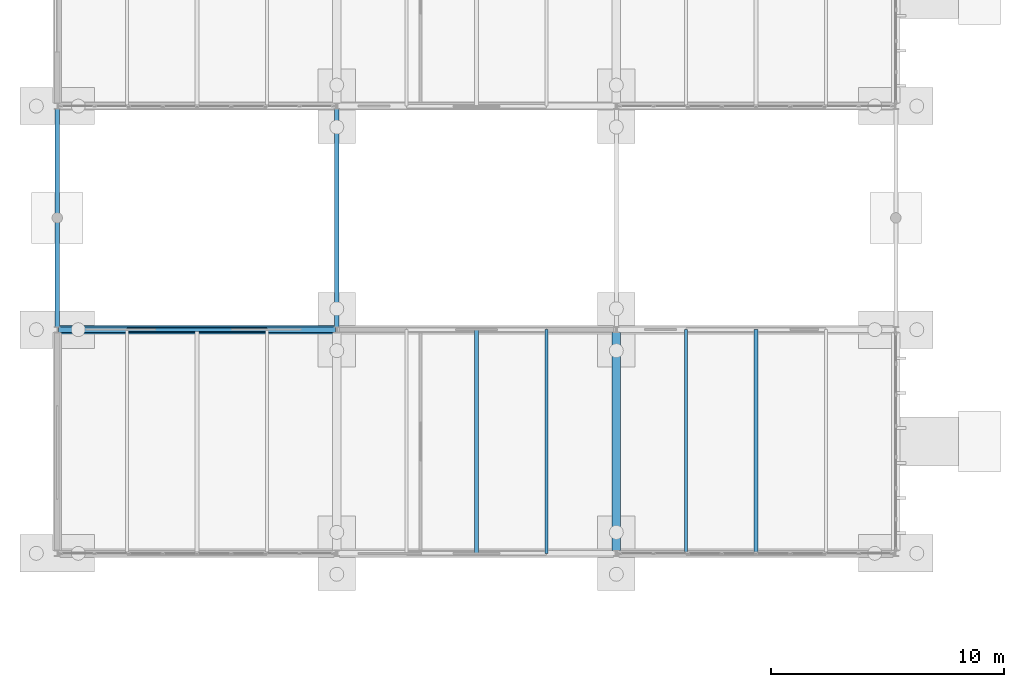
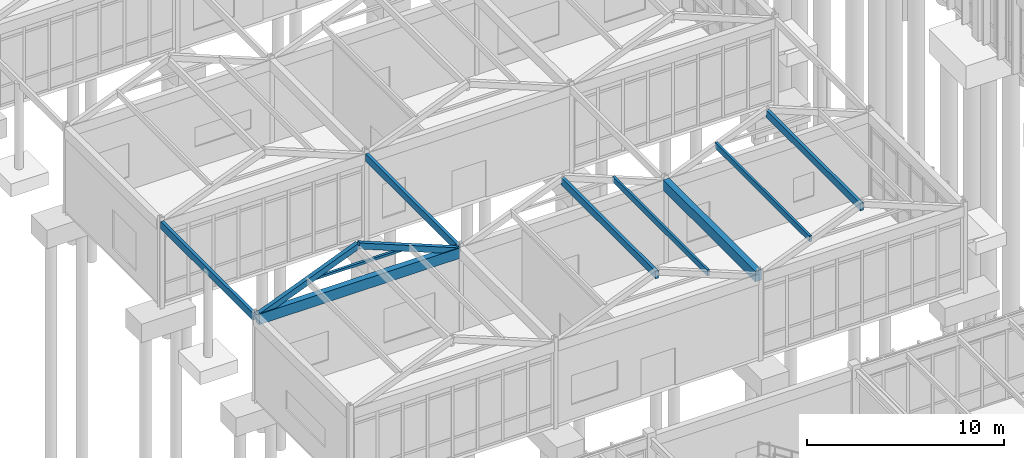
# One storey, part 40 of 188: 9 members, 2 beams.
"""IFC4 building model written with IfcOpenShell, lengths in metres."""

import ifcopenshell
import ifcopenshell.guid

model = None  # the IFC model being written
_history = None  # IfcOwnerHistory: only IFC2X3 demands one
_inside = {}  # id of a spatial element -> (the spatial element, [elements in it])
_under = {}  # id of a project, library or spatial element -> (it, [spatial elements below it])
_declared = {}  # id of a project -> (the project, [libraries it declares])
_typed = {}  # id of a type object -> (the type object, [elements of that type])
_made_of = {}  # id of a material, layer set ... -> (it, [elements and type objects made of it])


def new_model(schema):
    """Start an empty IFC model of exactly this schema.

    Asked for "IFC4X3", IfcOpenShell would pick the latest addendum, in which some entities
    have other attributes; the version numbers below select the first issue.
    IFC2X3 requires an IfcOwnerHistory on every rooted entity: one is made here for all.
    """
    global model, _history
    if schema == "IFC4X3":
        model = ifcopenshell.file(schema_version=(4, 3, 0, 0))
    else:
        model = ifcopenshell.file(schema=schema)
    _inside.clear()
    _under.clear()
    _declared.clear()
    _typed.clear()
    _made_of.clear()
    _history = None
    if model.schema == "IFC2X3":
        org = make("IfcOrganization", Name="unknown")
        user = make(
            "IfcPersonAndOrganization",
            ThePerson=make("IfcPerson", FamilyName="unknown"),
            TheOrganization=org,
        )
        app = make(
            "IfcApplication",
            ApplicationDeveloper=org,
            Version="unknown",
            ApplicationFullName="unknown",
            ApplicationIdentifier="unknown",
        )
        _history = make(
            "IfcOwnerHistory",
            OwningUser=user,
            OwningApplication=app,
            ChangeAction="ADDED",
            CreationDate=0,
        )
    return model


def make(cls, **values):
    """One entity of the class cls with the attributes given. An attribute that is None is left unset."""
    return model.create_entity(
        cls, **{name: value for name, value in values.items() if value is not None}
    )


def rooted(cls, **values):
    """An entity with a GlobalId (a new one), such as an element, a storey or a relation."""
    return make(cls, GlobalId=ifcopenshell.guid.new(), OwnerHistory=_history, **values)


def si_unit(unit_type, name, prefix=None):
    """IfcSIUnit, for example si_unit("LENGTHUNIT", "METRE", prefix="MILLI")."""
    return make("IfcSIUnit", UnitType=unit_type, Prefix=prefix, Name=name)


def assignment(units):
    """IfcUnitAssignment: the units of a project."""
    return None if units is None else make("IfcUnitAssignment", Units=units)


def point(xyz):
    """IfcCartesianPoint."""
    return None if xyz is None else make("IfcCartesianPoint", Coordinates=xyz)


def direction(xyz):
    """IfcDirection."""
    return None if xyz is None else make("IfcDirection", DirectionRatios=xyz)


def frame(location, z_axis=None, x_axis=None):
    """IfcAxis2Placement3D, a coordinate frame: its origin and axes. An axis left out is left unset."""
    return make(
        "IfcAxis2Placement3D",
        Location=point(location),
        Axis=direction(z_axis),
        RefDirection=direction(x_axis),
    )


def frame_2d(location, x_axis=None):
    """IfcAxis2Placement2D, a coordinate frame in the plane: its origin and x axis."""
    return make(
        "IfcAxis2Placement2D", Location=point(location), RefDirection=direction(x_axis)
    )


def origin():
    """The frame at (0, 0, 0) with its axes left unset."""
    return frame((0.0, 0.0, 0.0))


def origin_2d():
    """The frame at (0, 0) in the plane with its x axis left unset."""
    return frame_2d((0.0, 0.0))


def place(relative_to, where):
    """IfcLocalPlacement: puts the frame where relative to a parent placement (None: the world)."""
    return make(
        "IfcLocalPlacement", PlacementRelTo=relative_to, RelativePlacement=where
    )


def context(
    kind, dimensions, precision=None, world=None, true_north=None, identifier=None
):
    """IfcGeometricRepresentationContext, for example the 3D "Model" context."""
    return make(
        "IfcGeometricRepresentationContext",
        ContextIdentifier=identifier,
        ContextType=kind,
        CoordinateSpaceDimension=dimensions,
        Precision=precision,
        WorldCoordinateSystem=world,
        TrueNorth=true_north,
    )


def subcontext(parent, identifier, kind, view, scale=None):
    """IfcGeometricRepresentationSubContext, for example "Body" below "Model"."""
    return make(
        "IfcGeometricRepresentationSubContext",
        ContextIdentifier=identifier,
        ContextType=kind,
        ParentContext=parent,
        TargetScale=scale,
        TargetView=view,
    )


def project(units=None, contexts=None):
    """IfcProject with its units and contexts."""
    return rooted(
        "IfcProject",
        Name="project",
        RepresentationContexts=contexts,
        UnitsInContext=assignment(units),
    )


def spatial(cls, under=None, at=None, **own):
    """A site, building, storey or space (cls), placed at a placement, below another one or the project."""
    s = rooted(cls, ObjectPlacement=at, **own)
    if under is not None:
        _under.setdefault(under.id(), (under, []))[1].append(s)
    return s


def profile(cls, at=None, kind="AREA", **sizes):
    """A parametric profile (cls). Its sizes go by their IFC names, for example OverallWidth=200.0."""
    return make(cls, ProfileType=kind, Position=at, **sizes)


def rectangle(**sizes):
    """IfcRectangleProfileDef."""
    return profile("IfcRectangleProfileDef", **sizes)


def hollow_rectangle(**sizes):
    """IfcRectangleHollowProfileDef."""
    return profile("IfcRectangleHollowProfileDef", **sizes)


def extrude(swept, where, along, depth):
    """IfcExtrudedAreaSolid: the profile swept, set in the frame where, extruded along a direction by depth."""
    return make(
        "IfcExtrudedAreaSolid",
        SweptArea=swept,
        Position=where,
        ExtrudedDirection=direction(along),
        Depth=depth,
    )


def shape(context_of_items, identifier, shape_type, items):
    """IfcShapeRepresentation: the items that make up one representation, for example the "Body"."""
    return make(
        "IfcShapeRepresentation",
        ContextOfItems=context_of_items,
        RepresentationIdentifier=identifier,
        RepresentationType=shape_type,
        Items=items,
    )


def material(Name=None, Category=None):
    """IfcMaterial."""
    return make("IfcMaterial", Name=Name, Category=Category)


def material_profile(
    of_material, cross_section, Name=None, Category=None, Priority=None
):
    """IfcMaterialProfile: a cross section and its material."""
    return make(
        "IfcMaterialProfile",
        Name=Name,
        Material=of_material,
        Profile=cross_section,
        Priority=Priority,
        Category=Category,
    )


def profile_set(profiles, Name=None, composite=None):
    """IfcMaterialProfileSet."""
    return make(
        "IfcMaterialProfileSet",
        Name=Name,
        MaterialProfiles=profiles,
        CompositeProfile=composite,
    )


def made_of(thing, what):
    """Note that an element or type object is made of a material, layer set ...; save() writes the relation."""
    if what is not None:
        _made_of.setdefault(what.id(), (what, []))[1].append(thing)
    return thing


def type_object(cls, material=None, **own):
    """A type object (cls), such as IfcWallType, which elements share."""
    return made_of(rooted(cls, **own), material)


def element(
    cls,
    number,
    at=None,
    inside=None,
    cuts=None,
    type_object=None,
    material=None,
    context=None,
    identifier="Body",
    shape_type=None,
    held_by="IfcProductDefinitionShape",
    body=None,
    shapes=None,
    **own,
):
    """One element of the class cls, such as IfcWall. Its Tag is "e" and its number.

    at: its placement. inside: the storey or other place that contains it. cuts: it is an
    opening in that element (IfcRelVoidsElement). A single representation is given by context,
    identifier, shape_type and body (its items); several are given by shapes. held_by: the class
    of the entity that holds the representations. save() writes the other relations.
    """
    e = rooted(cls, Tag="e%d" % number, ObjectPlacement=at, **own)
    if body is not None:
        shapes = [shape(context, identifier, shape_type, body)]
    if shapes is not None:
        e.Representation = make(held_by, Representations=shapes)
    if inside is not None:
        _inside.setdefault(inside.id(), (inside, []))[1].append(e)
    if cuts is not None:
        rooted(
            "IfcRelVoidsElement", RelatingBuildingElement=cuts, RelatedOpeningElement=e
        )
    if type_object is not None:
        _typed.setdefault(type_object.id(), (type_object, []))[1].append(e)
    return made_of(e, material)


def aggregate(whole, parts):
    """IfcRelAggregates: a whole, such as a stair, and the parts it consists of."""
    return rooted("IfcRelAggregates", RelatingObject=whole, RelatedObjects=parts)


def save(model, path):
    """Write the relations noted so far, then the file.

    IfcRelAggregates (storeys below a building ...), IfcRelContainedInSpatialStructure (elements
    in a storey), IfcRelDefinesByType, IfcRelAssociatesMaterial and IfcRelDeclares: one each for
    every whole, place, type object, material and project.
    """
    for whole, parts in _under.values():
        aggregate(whole, parts)
    for where, things in _inside.values():
        rooted(
            "IfcRelContainedInSpatialStructure",
            RelatedElements=things,
            RelatingStructure=where,
        )
    for kind, things in _typed.values():
        rooted("IfcRelDefinesByType", RelatedObjects=things, RelatingType=kind)
    for what, things in _made_of.values():
        rooted("IfcRelAssociatesMaterial", RelatedObjects=things, RelatingMaterial=what)
    for by, libraries in _declared.values():
        rooted("IfcRelDeclares", RelatingContext=by, RelatedDefinitions=libraries)
    model.write(path)


model = new_model("IFC4")

# Units and contexts
model_context = context("Model", 3, precision=1e-05, world=origin(), true_north=direction((0.0, 1.0)))
body_context = subcontext(model_context, "Body", "Model", "MODEL_VIEW")
ifc_project = project(units=[si_unit("LENGTHUNIT", "METRE"), si_unit("AREAUNIT", "SQUARE_METRE"), si_unit("VOLUMEUNIT", "CUBIC_METRE"), si_unit("PLANEANGLEUNIT", "RADIAN"), si_unit("MASSUNIT", "GRAM", prefix="KILO")], contexts=[model_context])

# Site, building, storey
site_placement = place(None, origin())
site = spatial("IfcSite", under=ifc_project, at=site_placement, CompositionType="ELEMENT")
building_placement = place(site_placement, origin())
building = spatial("IfcBuilding", under=site, at=building_placement, Name="Pandanus Reach Market Hall", CompositionType="ELEMENT")
storey_placement = place(building_placement, origin())
storey = spatial("IfcBuildingStorey", under=building, at=storey_placement, Name="L00", CompositionType="ELEMENT", Elevation=0.0)

# Beams
ifc_material_1 = material(Name="Concrete N40 (40 MPa)", Category="concrete")
ifc_material_profile_1 = material_profile(ifc_material_1, rectangle(XDim=0.35009765625, YDim=0.64990234375, at=origin_2d()), Name="RC350x650", Category="LoadBearing")
ifc_profile_set_1 = profile_set([ifc_material_profile_1], Name="Concrete N40 (40 MPa)")
beam_type = type_object("IfcBeamType", Name="BM-RC350-E", PredefinedType="SPANDREL", material=ifc_profile_set_1)
beam_1_placement = place(storey_placement, frame((0.125, 48.0, 4.8798828125), z_axis=(1.0, 0.0, 0.0), x_axis=(0.0, 1.0, 0.0)))
element("IfcBeam", 1, at=beam_1_placement, inside=storey, type_object=beam_type, Name="Framing beam BM-RC350-E L00.1155", PredefinedType="SPANDREL", context=body_context, shape_type="SweptSolid", body=[
    extrude(rectangle(XDim=0.35009765625, YDim=0.64990234375, at=origin_2d()), origin(), (0.0, 0.0, 1.0), 11.75),
])
beam_2_placement = place(storey_placement, frame((24.0, 38.52490234375, 4.8798828125), z_axis=(0.0, 1.0, 0.0), x_axis=(-1.0, 0.0, 0.0)))
element("IfcBeam", 2, at=beam_2_placement, inside=storey, type_object=beam_type, Name="Framing beam BM-RC350-E L00.1156", PredefinedType="SPANDREL", context=body_context, shape_type="SweptSolid", body=[
    extrude(rectangle(XDim=0.35009765625, YDim=0.64990234375, at=origin_2d()), origin(), (0.0, 0.0, 1.0), 9.35009765625),
])

# Members
ifc_material_2 = material(Name="Steel Grade 350 (350 MPa)", Category="steel")
ifc_material_profile_2 = material_profile(ifc_material_2, hollow_rectangle(XDim=0.14990234375, YDim=0.14990234375, WallThickness=0.009033203125, at=origin_2d()), Name="150x150x9.0SHS", Category="LoadBearing")
ifc_profile_set_2 = profile_set([ifc_material_profile_2], Name="Steel Grade 350 (350 MPa)")
member_type_1 = type_object("IfcMemberType", Name="CL-SHS150-I", PredefinedType="COLLAR", material=ifc_profile_set_2)
member_placement = place(storey_placement, frame((3.0, 48.0, 6.166748046875), z_axis=(1.0, 0.0, 0.0), x_axis=(0.0, 1.0, 0.0)))
element("IfcMember", 3, at=member_placement, inside=storey, type_object=member_type_1, Name="Gable collar tie R1.B1", PredefinedType="COLLAR", context=body_context, shape_type="SweptSolid", body=[
    extrude(hollow_rectangle(XDim=0.14990234375, YDim=0.14990234375, WallThickness=0.009033203125, at=origin_2d()), origin(), (0.0, 0.0, 1.0), 6.0),
])
ifc_material_3 = material(Name="Glulam timber GL17", Category="wood")
ifc_material_profile_3 = material_profile(ifc_material_3, rectangle(XDim=0.1298828125, YDim=0.360107421875, at=origin_2d()), Name="GL130x360", Category="LoadBearing")
ifc_profile_set_3 = profile_set([ifc_material_profile_3], Name="Glulam timber GL17")
member_type_2 = type_object("IfcMemberType", Name="PR-GL130-E", PredefinedType="PURLIN", material=ifc_profile_set_3)
for number, where, z_axis, x_axis, name in (
    (4, (21.0, 38.39990234375, 6.189697265625), (0.0, 1.0, 0.0), (-1.0, 0.0, 0.0), "Gable slope glulam purlin R1.B2E"),
    (5, (27.0, 38.39990234375, 6.189697265625), (0.0, 1.0, 0.0), (-1.0, 0.0, 0.0), "Gable slope glulam purlin R1.B3W"),
):
    element("IfcMember", number, at=place(storey_placement, frame(where, z_axis=z_axis, x_axis=x_axis)), inside=storey, type_object=member_type_2, Name=name, PredefinedType="PURLIN", context=body_context, shape_type="SweptSolid", body=[
        extrude(rectangle(XDim=0.1298828125, YDim=0.360107421875, at=origin_2d()), origin(), (0.0, 0.0, 1.0), 9.60009765625),
    ])
ifc_material_profile_4 = material_profile(ifc_material_3, rectangle(XDim=0.175048828125, YDim=0.449951171875, at=origin_2d()), Name="GL175x450", Category="LoadBearing")
ifc_profile_set_4 = profile_set([ifc_material_profile_4], Name="Glulam timber GL17")
member_type_3 = type_object("IfcMemberType", Name="PR-GL175-E", PredefinedType="PURLIN", material=ifc_profile_set_4)
for number, where, z_axis, x_axis, name in (
    (6, (18.0, 38.39990234375, 7.11865234375), (0.0, 1.0, 0.0), (-1.0, 0.0, 0.0), "Gable ridge glulam purlin R1.B2"),
    (7, (30.0, 38.39990234375, 7.11865234375), (0.0, 1.0, 0.0), (-1.0, 0.0, 0.0), "Gable ridge glulam purlin R1.B3"),
):
    element("IfcMember", number, at=place(storey_placement, frame(where, z_axis=z_axis, x_axis=x_axis)), inside=storey, type_object=member_type_3, Name=name, PredefinedType="PURLIN", context=body_context, shape_type="SweptSolid", body=[
        extrude(rectangle(XDim=0.175048828125, YDim=0.449951171875, at=origin_2d()), origin(), (0.0, 0.0, 1.0), 9.60009765625),
    ])
for number, where, z_axis, x_axis, name in (
    (8, (0.0, 48.1201171875, 4.949951171875), (0.0, 1.0, 0.0), (-1.0, 0.0, 0.0), "Breezeway glulam purlin 1.0"),
    (9, (12.0, 48.1201171875, 4.949951171875), (0.0, 1.0, 0.0), (-1.0, 0.0, 0.0), "Breezeway glulam purlin 1.12"),
):
    element("IfcMember", number, at=place(storey_placement, frame(where, z_axis=z_axis, x_axis=x_axis)), inside=storey, type_object=member_type_3, Name=name, PredefinedType="PURLIN", context=body_context, shape_type="SweptSolid", body=[
        extrude(rectangle(XDim=0.175048828125, YDim=0.449951171875, at=origin_2d()), origin(), (0.0, 0.0, 1.0), 9.35986328125),
    ])
ifc_material_profile_5 = material_profile(ifc_material_2, hollow_rectangle(XDim=0.25, YDim=0.35009765625, WallThickness=0.012451171875, at=origin_2d()), Name="350x250x12.5RHS", Category="LoadBearing")
ifc_profile_set_5 = profile_set([ifc_material_profile_5], Name="Steel Grade 350 (350 MPa)")
member_type_4 = type_object("IfcMemberType", Name="RF-RHS350-E", PredefinedType="RAFTER", material=ifc_profile_set_5)
for number, where, z_axis, x_axis, name in (
    (10, (0.1201171875, 48.0, 4.985107421875), (0.927845665363, 0.0, 0.372964369971), (0.0, 1.0, 0.0), "Steep gable rafter R1.B1W"),
    (11, (6.0, 48.0, 7.3486328125), (0.927845665363, 0.0, -0.372964369971), (0.0, 1.0, 0.0), "Steep gable rafter R1.B1E"),
):
    element("IfcMember", number, at=place(storey_placement, frame(where, z_axis=z_axis, x_axis=x_axis)), inside=storey, type_object=member_type_4, Name=name, PredefinedType="RAFTER", context=body_context, shape_type="SweptSolid", body=[
        extrude(hollow_rectangle(XDim=0.25, YDim=0.35009765625, WallThickness=0.012451171875, at=origin_2d()), origin(), (0.0, 0.0, 1.0), 6.337158203125),
    ])

save(model, "model.ifc")
